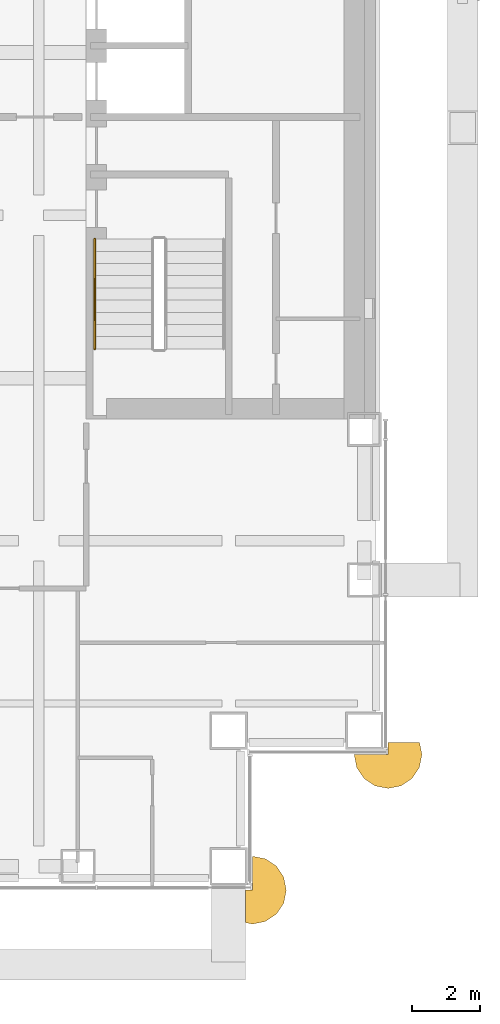
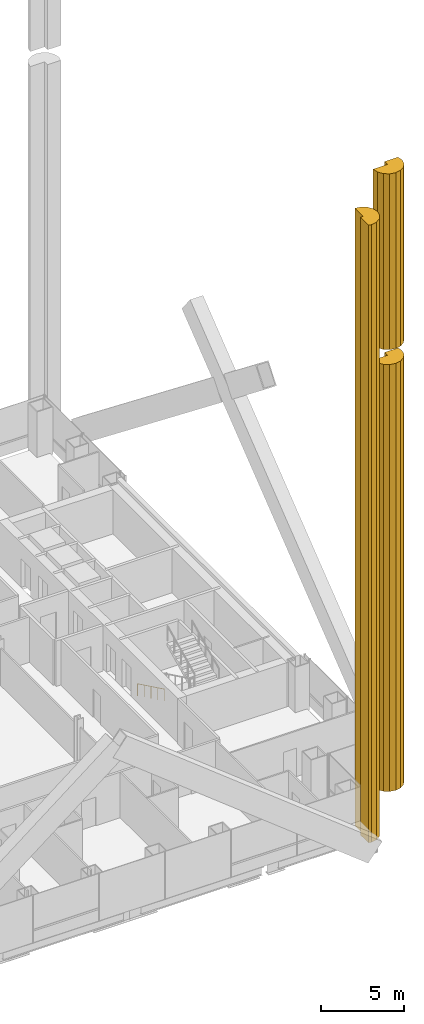
# One storey, part 25 of 28: 3 coverings, 1 railing.
"""IFC4 building model written with IfcOpenShell, lengths in metres."""

from ifc_helpers import new_model, si_unit, direction, frame, origin, origin_2d, place, context, subcontext, project, spatial, polyline, circle, outline, extrude, material, type_object, element, save


model = new_model("IFC4")

# Units and contexts
model_context = context("Model", 3, precision=1e-05, world=origin(), true_north=direction((0.0, 1.0)))
body_context = subcontext(model_context, "Body", "Model", "MODEL_VIEW")
ifc_project = project(units=[si_unit("LENGTHUNIT", "METRE"), si_unit("AREAUNIT", "SQUARE_METRE"), si_unit("VOLUMEUNIT", "CUBIC_METRE"), si_unit("PLANEANGLEUNIT", "RADIAN"), si_unit("MASSUNIT", "GRAM", prefix="KILO")], contexts=[model_context])

# Site, building, storey
site_placement = place(None, origin())
site = spatial("IfcSite", under=ifc_project, at=site_placement, CompositionType="ELEMENT")
building_placement = place(site_placement, origin())
building = spatial("IfcBuilding", under=site, at=building_placement, Name="Cobrizo Arcos Hotel Tower", CompositionType="ELEMENT")
storey_placement = place(building_placement, frame((0.0, 0.0, 39.0)))
storey = spatial("IfcBuildingStorey", under=building, at=storey_placement, Name="L07", CompositionType="ELEMENT", Elevation=39.0)

# Coverings
ifc_material_1 = material(Name="Aluminium 6063-T6 anodised pale", Category="aluminium")
covering_type = type_object("IfcCoveringType", Name="RB-2 notch bullnose roll R1000", PredefinedType="CLADDING", material=ifc_material_1)
covering_1_placement = place(storey_placement, origin())
element("IfcCovering", 1, at=covering_1_placement, inside=storey, type_object=covering_type, Name="Notch bullnose roll 3", PredefinedType="CLADDING", context=body_context, shape_type="SweptSolid", body=[
    extrude(outline(polyline([(23.992919921875, -21.406982421875), (24.3173828125, -21.623779296875), (24.699951171875, -21.699951171875), (25.082763671875, -21.623779296875), (25.406982421875, -21.406982421875), (25.623779296875, -21.082763671875), (25.699951171875, -20.699951171875), (25.63037109375, -20.35009765625), (24.699951171875, -20.35009765625), (24.699951171875, -20.699951171875), (23.699951171875, -20.699951171875), (23.776123046875, -21.082763671875), (23.992919921875, -21.406982421875)])), origin(), (0.0, 0.0, 1.0), 31.449951171875),
])
covering_2_placement = place(storey_placement, frame((0.0, 0.0, 32.550048828125)))
element("IfcCovering", 2, at=covering_2_placement, inside=storey, type_object=covering_type, Name="Notch bullnose roll 3 part 2", PredefinedType="CLADDING", context=body_context, shape_type="SweptSolid", body=[
    extrude(outline(polyline([(23.992919921875, -21.406982421875), (24.3173828125, -21.623779296875), (24.699951171875, -21.699951171875), (25.082763671875, -21.623779296875), (25.406982421875, -21.406982421875), (25.623779296875, -21.082763671875), (25.699951171875, -20.699951171875), (25.63037109375, -20.35009765625), (24.699951171875, -20.35009765625), (24.699951171875, -20.699951171875), (23.699951171875, -20.699951171875), (23.776123046875, -21.082763671875), (23.992919921875, -21.406982421875)])), origin(), (0.0, 0.0, 1.0), 12.949951171875),
])
covering_3_placement = place(storey_placement, origin())
element("IfcCovering", 3, at=covering_3_placement, inside=storey, type_object=covering_type, Name="Notch bullnose roll 6", PredefinedType="CLADDING", context=body_context, shape_type="SweptSolid", body=[
    extrude(outline(polyline([(21.406982421875, -23.992919921875), (21.082763671875, -23.776123046875), (20.699951171875, -23.699951171875), (20.699951171875, -24.699951171875), (20.5, -24.699951171875), (20.5, -25.66015625), (20.699951171875, -25.699951171875), (21.082763671875, -25.623779296875), (21.406982421875, -25.406982421875), (21.623779296875, -25.082763671875), (21.699951171875, -24.699951171875), (21.623779296875, -24.3173828125), (21.406982421875, -23.992919921875)])), origin(), (0.0, 0.0, 1.0), 45.5),
])

# Railing
ifc_material_2 = material(Name="Stainless steel railing", Category="steel")
railing_type = type_object("IfcRailingType", Name="Stair handrail", PredefinedType="HANDRAIL", material=ifc_material_2)
railing_placement = place(storey_placement, frame((16.050048828125, -5.5, 0.175048828125)))
element("IfcRailing", 4, at=railing_placement, inside=storey, type_object=railing_type, Name="L07 ST-E stair handrail 1", PredefinedType="HANDRAIL", context=body_context, shape_type="SweptSolid", body=[
    extrude(circle(Radius=0.02392578125, at=origin_2d()), frame((0.0, 0.0, 0.8759765625), z_axis=(0.0, -0.899372665325, 0.437182809435), x_axis=(1.0, 0.0, 0.0)), (0.0, 0.0, 1.0), 3.6025390625),
    extrude(circle(Radius=0.02099609375, at=origin_2d()), origin(), (0.0, 0.0, 1.0), 0.851806640625),
    extrude(circle(Radius=0.02099609375, at=origin_2d()), frame((0.0, -0.81005859375, 0.393798828125)), (0.0, 0.0, 1.0), 0.851806640625),
    extrude(circle(Radius=0.02099609375, at=origin_2d()), frame((0.0, -1.6201171875, 0.78759765625)), (0.0, 0.0, 1.0), 0.851806640625),
    extrude(circle(Radius=0.02099609375, at=origin_2d()), frame((0.0, -2.429931640625, 1.18115234375)), (0.0, 0.0, 1.0), 0.851806640625),
    extrude(circle(Radius=0.02099609375, at=origin_2d()), frame((0.0, -3.239990234375, 1.574951171875)), (0.0, 0.0, 1.0), 0.851806640625),
])

save(model, "model.ifc")
